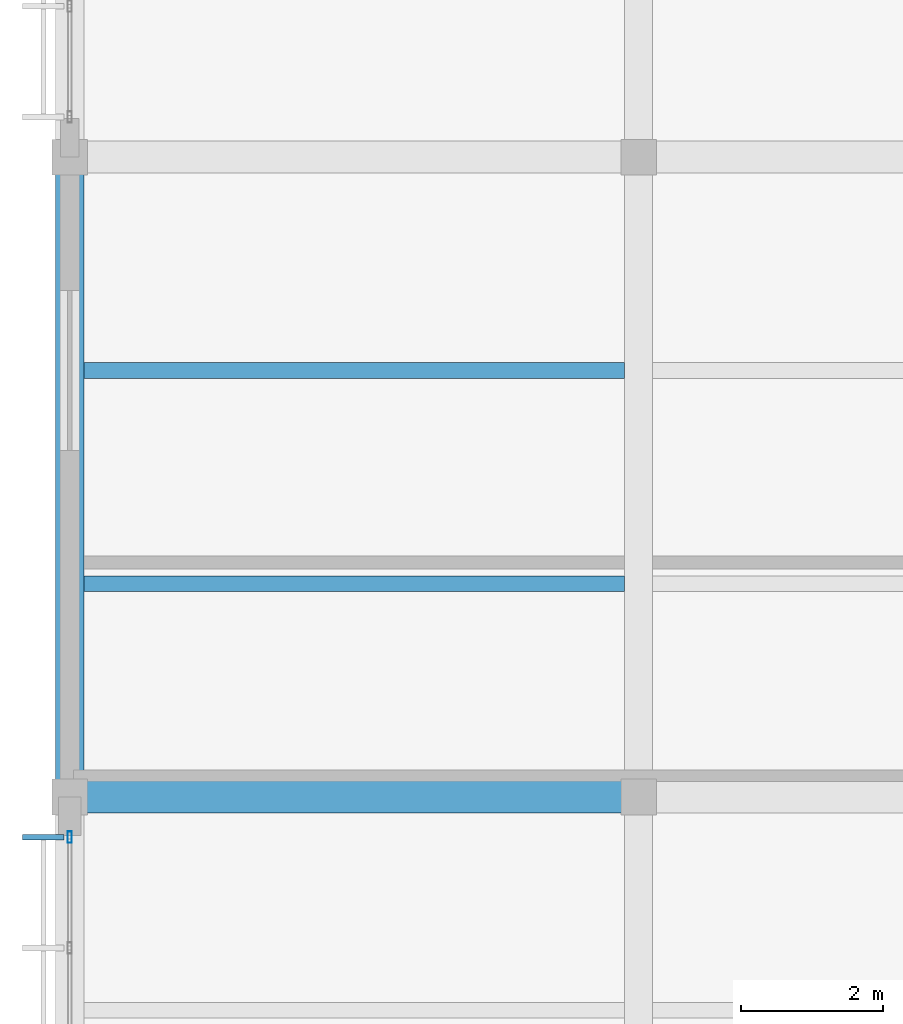
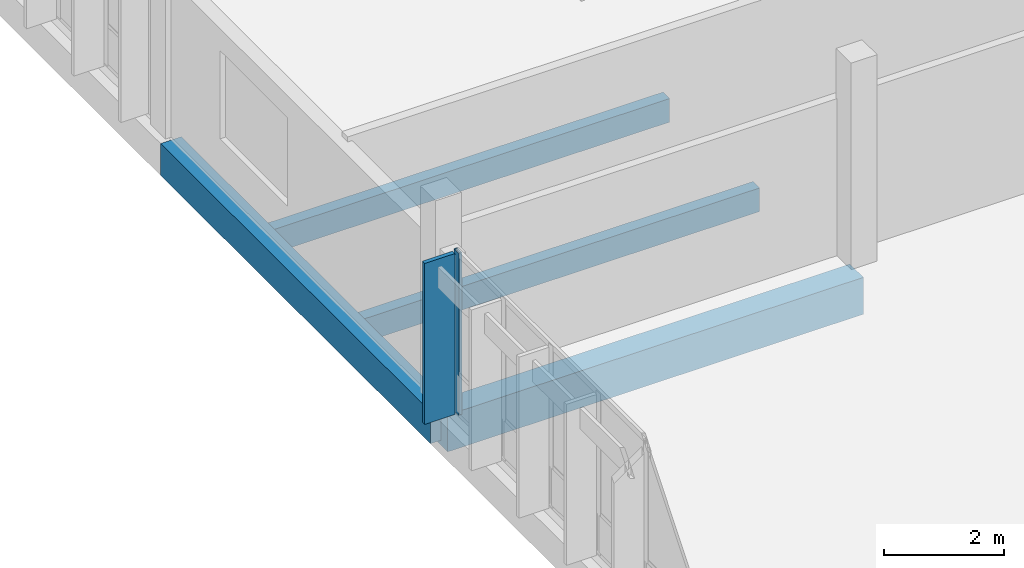
# One storey, part 35 of 107: 4 beams, 2 members, 1 element without a shape of its own.
"""IFC4 building model written with IfcOpenShell, lengths in metres."""

from ifc_helpers import new_model, si_unit, direction, frame, origin, origin_2d, place, context, subcontext, project, spatial, rectangle, hollow_rectangle, extrude, material, material_profile, profile_set, type_object, element, aggregate, save


model = new_model("IFC4")

# Units and contexts
model_context = context("Model", 3, precision=1e-05, world=origin(), true_north=direction((0.0, 1.0)))
body_context = subcontext(model_context, "Body", "Model", "MODEL_VIEW")
ifc_project = project(units=[si_unit("LENGTHUNIT", "METRE"), si_unit("AREAUNIT", "SQUARE_METRE"), si_unit("VOLUMEUNIT", "CUBIC_METRE"), si_unit("PLANEANGLEUNIT", "RADIAN"), si_unit("MASSUNIT", "GRAM", prefix="KILO")], contexts=[model_context])

# Site, building, storey
site_placement = place(None, origin())
site = spatial("IfcSite", under=ifc_project, at=site_placement, CompositionType="ELEMENT")
building_placement = place(site_placement, origin())
building = spatial("IfcBuilding", under=site, at=building_placement, Name="Chiffa Square Polytechnic", CompositionType="ELEMENT")
storey_placement = place(building_placement, frame((0.0, 0.0, 13.800048828125)))
storey = spatial("IfcBuildingStorey", under=building, at=storey_placement, Name="L03", CompositionType="ELEMENT", Elevation=13.800048828125)

# Beams
ifc_material_1 = material(Name="Concrete C35/45", Category="concrete")
ifc_material_profile_1 = material_profile(ifc_material_1, rectangle(XDim=0.39990234375, YDim=0.64990234375, at=origin_2d()), Name="RC 400x650")
ifc_profile_set_1 = profile_set([ifc_material_profile_1], Name="Concrete C35/45")
beam_type_1 = type_object("IfcBeamType", Name="BM-RC-400X650", PredefinedType="BEAM", material=ifc_profile_set_1)
beam_1_placement = place(storey_placement, frame((0.0, 112.800048828125, -0.5849609375), z_axis=(0.0, 1.0, 0.0), x_axis=(-1.0, 0.0, 0.0)))
element("IfcBeam", 1, at=beam_1_placement, inside=storey, type_object=beam_type_1, Name="Primary floor girder BM-V5-L03-Y-0000-1128", PredefinedType="BEAM", context=body_context, shape_type="SweptSolid", body=[
    extrude(rectangle(XDim=0.39990234375, YDim=0.64990234375, at=origin_2d()), origin(), (0.0, 0.0, 1.0), 9.0),
])
ifc_material_profile_2 = material_profile(ifc_material_1, rectangle(XDim=0.449951171875, YDim=0.75, at=origin_2d()), Name="RC 450x750")
ifc_profile_set_2 = profile_set([ifc_material_profile_2], Name="Concrete C35/45")
beam_type_2 = type_object("IfcBeamType", Name="BM-RC-450X750", PredefinedType="BEAM", material=ifc_profile_set_2)
beam_2_placement = place(storey_placement, frame((0.0, 112.800048828125, -0.635009765625), z_axis=(1.0, 0.0, 0.0), x_axis=(0.0, 1.0, 0.0)))
element("IfcBeam", 2, at=beam_2_placement, inside=storey, type_object=beam_type_2, Name="Primary floor girder BM-V5-L03-X-0000-1128", PredefinedType="BEAM", context=body_context, shape_type="SweptSolid", body=[
    extrude(rectangle(XDim=0.449951171875, YDim=0.75, at=origin_2d()), origin(), (0.0, 0.0, 1.0), 8.0),
])

# Curtain wall, members
ifc_material_2 = material(Name="Aluminium EN AW-6060 T66 and glulam shading", Category="wood")
curtain_wall_type = type_object("IfcCurtainWallType", Name="CW-VERT-450X440", PredefinedType="USERDEFINED", material=ifc_material_2)
curtain_wall_placement = place(storey_placement, origin())
curtain_wall = element("IfcCurtainWall", 3, at=curtain_wall_placement, inside=storey, type_object=curtain_wall_type, Name="Curtain wall CW-V5-L03-240", ObjectType="CURTAIN WALL", PredefinedType="USERDEFINED")
ifc_material_3 = material(Name="Aluminium EN AW-6060 T66", Category="aluminium")
ifc_material_profile_3 = material_profile(ifc_material_3, hollow_rectangle(XDim=0.06005859375, YDim=0.159912109375, WallThickness=0.00390625, at=origin_2d()), Name="ALU 60x160x4")
ifc_profile_set_3 = profile_set([ifc_material_profile_3], Name="Aluminium EN AW-6060 T66")
member_type_1 = type_object("IfcMemberType", Name="CWM-ALU-65X150", PredefinedType="MULLION", material=ifc_profile_set_3)
member_1_placement = place(storey_placement, frame((0.0, 112.235107421875, 0.0), z_axis=(0.0, 0.0, 1.0), x_axis=(1.0, 0.0, 0.0)))
member_1 = element("IfcMember", 4, at=member_1_placement, type_object=member_type_1, Name="Curtain wall mullion CW-V5-L03-240-M00", PredefinedType="MULLION", context=body_context, shape_type="SweptSolid", body=[
    extrude(hollow_rectangle(XDim=0.06005859375, YDim=0.159912109375, WallThickness=0.00390625, at=origin_2d()), origin(), (0.0, 0.0, 1.0), 3.294921875),
])
ifc_material_4 = material(Name="Glulam GL28h", Category="wood")
ifc_material_profile_4 = material_profile(ifc_material_4, rectangle(XDim=0.080078125, YDim=0.580078125, at=origin_2d()), Name="GL28h 80x580")
ifc_profile_set_4 = profile_set([ifc_material_profile_4], Name="Glulam GL28h")
member_type_2 = type_object("IfcMemberType", Name="CWM-GL-80X580", PredefinedType="MULLION", material=ifc_profile_set_4)
member_2_placement = place(storey_placement, frame((-0.3720703125, 112.235107421875, 0.010009765625), z_axis=(0.0, 0.0, 1.0), x_axis=(0.0, -1.0, 0.0)))
member_2 = element("IfcMember", 5, at=member_2_placement, type_object=member_type_2, Name="Exterior glulam solar fin CW-V5-L03-240-FN00", PredefinedType="MULLION", context=body_context, shape_type="SweptSolid", body=[
    extrude(rectangle(XDim=0.080078125, YDim=0.580078125, at=origin_2d()), origin(), (0.0, 0.0, 1.0), 3.27490234375),
])
aggregate(curtain_wall, [member_1, member_2])

# Beams
ifc_material_profile_5 = material_profile(ifc_material_4, rectangle(XDim=0.219970703125, YDim=0.47998046875, at=origin_2d()), Name="GL28h 220x480")
ifc_profile_set_5 = profile_set([ifc_material_profile_5], Name="Glulam GL28h")
beam_type_3 = type_object("IfcBeamType", Name="JST-GL-220X480", PredefinedType="JOIST", material=ifc_profile_set_5)
for number, where, z_axis, x_axis, name in (
    (6, (0.197998046875, 115.800048828125, -0.5), (1.0, 0.0, 0.0), (0.0, 1.0, 0.0), "Secondary floor joist JST-V5-L03-0000-1158"),
    (7, (0.197998046875, 118.800048828125, -0.5), (1.0, 0.0, 0.0), (0.0, 1.0, 0.0), "Secondary floor joist JST-V5-L03-0000-1188"),
):
    element("IfcBeam", number, at=place(storey_placement, frame(where, z_axis=z_axis, x_axis=x_axis)), inside=storey, type_object=beam_type_3, Name=name, PredefinedType="JOIST", context=body_context, shape_type="SweptSolid", body=[
        extrude(rectangle(XDim=0.219970703125, YDim=0.47998046875, at=origin_2d()), origin(), (0.0, 0.0, 1.0), 7.60400390625),
    ])

save(model, "model.ifc")
